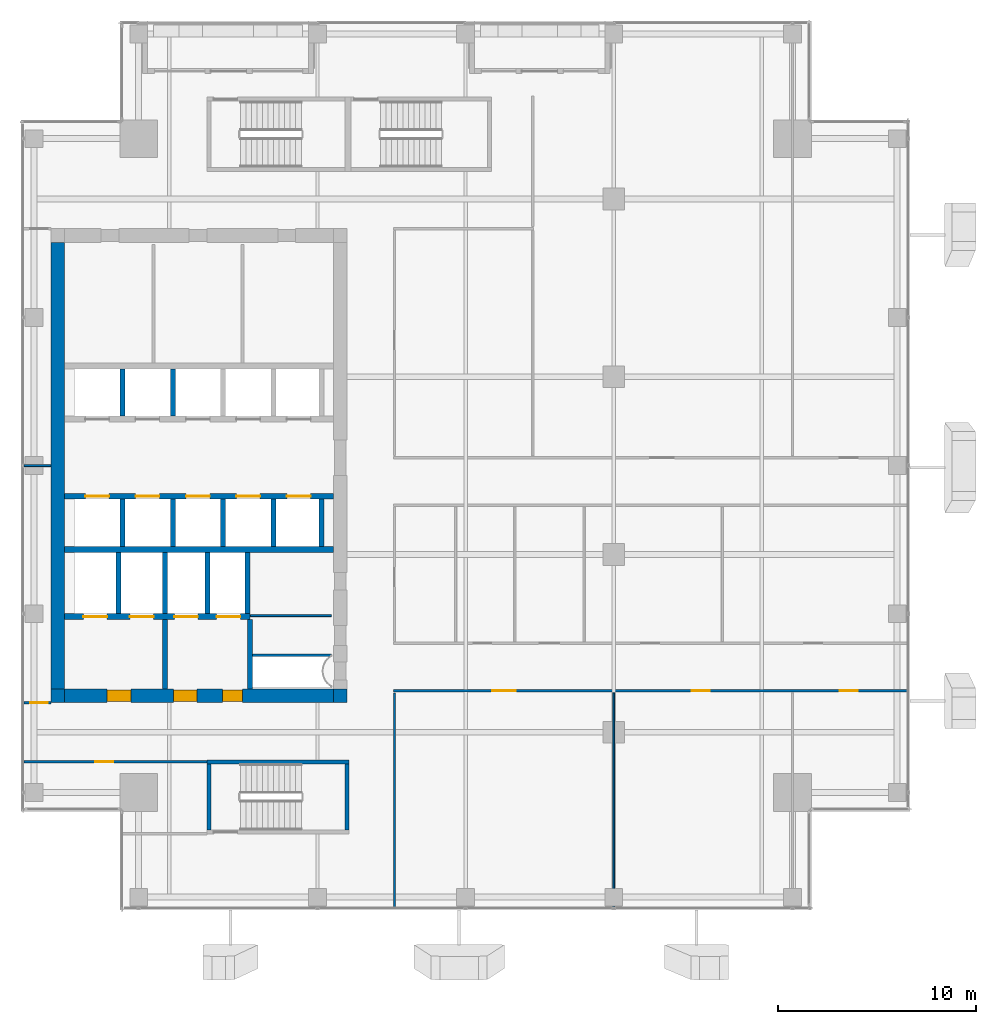
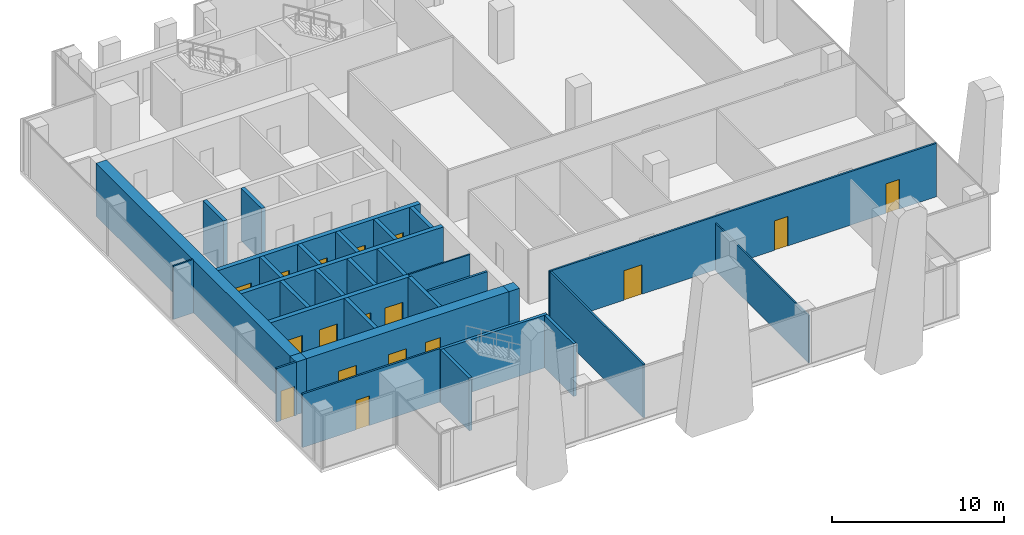
# One storey, part 31 of 36: 31 walls, 17 doors, 17 openings.
"""IFC4 building model written with IfcOpenShell, lengths in metres."""

from ifc_helpers import new_model, si_unit, direction, frame, frame_2d, origin, place, context, subcontext, project, spatial, rectangle, extrude, source, transform, mapped, material, layer, layer_set, type_object, element, fill, save


model = new_model("IFC4")

# Units and contexts
model_context = context("Model", 3, precision=1e-05, world=origin(), true_north=direction((0.0, 1.0)))
body_context = subcontext(model_context, "Body", "Model", "MODEL_VIEW")
ifc_project = project(units=[si_unit("LENGTHUNIT", "METRE"), si_unit("AREAUNIT", "SQUARE_METRE"), si_unit("VOLUMEUNIT", "CUBIC_METRE"), si_unit("PLANEANGLEUNIT", "RADIAN"), si_unit("MASSUNIT", "GRAM", prefix="KILO")], contexts=[model_context])

# Site, building, storey
site_placement = place(None, origin())
site = spatial("IfcSite", under=ifc_project, at=site_placement, CompositionType="ELEMENT")
building_placement = place(site_placement, origin())
building = spatial("IfcBuilding", under=site, at=building_placement, Name="Khomas Fold Tower", CompositionType="ELEMENT")
storey_placement = place(building_placement, frame((0.0, 0.0, 238.199951171875)))
storey = spatial("IfcBuildingStorey", under=building, at=storey_placement, Name="L53", CompositionType="ELEMENT", Elevation=238.199951171875)

# Walls
ifc_material_1 = material(Name="Concrete C50/60", Category="concrete")
ifc_layer_1 = layer(ifc_material_1, 0.199951171875)
ifc_layer_set_1 = layer_set([ifc_layer_1], Name="Concrete C50/60")
wall_type_1 = type_object("IfcWallType", Name="Stair wall 200", PredefinedType="SHEAR", material=ifc_layer_set_1)
shared_shape_1 = source(origin(), body_context, "Body", "SweptSolid", [
    extrude(rectangle(XDim=7.2001953125, YDim=0.199951171875, at=frame_2d((3.60009765625, 0.0))), origin(), (0.0, 0.0, 1.0), 3.75),
])
wall_1_placement = place(storey_placement, frame((13.89990234375, 12.0, 0.0), z_axis=(0.0, 0.0, 1.0), x_axis=(1.0, 0.0, 0.0)))
element("IfcWall", 1, at=wall_1_placement, inside=storey, type_object=wall_type_1, Name="Stair wall SW-ST2-NH", PredefinedType="SHEAR", context=body_context, shape_type="MappedRepresentation", body=[
    mapped(shared_shape_1, transform((0.0, 0.0, 0.0))),
])
shared_shape_2 = source(origin(), body_context, "Body", "SweptSolid", [
    extrude(rectangle(XDim=3.349853515625, YDim=0.199951171875, at=frame_2d((1.6748046875, 0.0))), origin(), (0.0, 0.0, 1.0), 3.75),
])
for number, where, z_axis, x_axis, name in (
    (2, (21.0, 8.550048828125, 0.0), (0.0, 0.0, 1.0), (0.0, 1.0, 0.0), "Stair wall SW-ST2-E"),
    (3, (14.0, 8.550048828125, 0.0), (0.0, 0.0, 1.0), (0.0, 1.0, 0.0), "Stair wall SW-ST2-W"),
):
    element("IfcWall", number, at=place(storey_placement, frame(where, z_axis=z_axis, x_axis=x_axis)), inside=storey, type_object=wall_type_1, Name=name, PredefinedType="SHEAR", context=body_context, shape_type="MappedRepresentation", body=[
        mapped(shared_shape_2, transform((0.0, 0.0, 0.0))),
    ])
ifc_material_2 = material(Name="Concrete C50/60", Category="concrete")
ifc_layer_2 = layer(ifc_material_2, 0.25)
ifc_layer_set_2 = layer_set([ifc_layer_2], Name="Concrete C50/60")
wall_type_2 = type_object("IfcWallType", Name="Shaft wall 250", PredefinedType="STANDARD", material=ifc_layer_set_2)
shared_shape_3 = source(origin(), body_context, "Body", "SweptSolid", [
    extrude(rectangle(XDim=3.10009765625, YDim=0.25, at=frame_2d((1.550048828125, 0.0))), origin(), (0.0, 0.0, 1.0), 3.75),
])
for number, where, z_axis, x_axis, name in (
    (4, (9.425048828125, 19.5, 0.0), (0.0, 0.0, 1.0), (0.0, 1.0, 0.0), "Core wall SW-FS-P1"),
    (5, (11.77490234375, 19.5, 0.0), (0.0, 0.0, 1.0), (0.0, 1.0, 0.0), "Core wall SW-FS-P2"),
    (6, (13.925048828125, 19.5, 0.0), (0.0, 0.0, 1.0), (0.0, 1.0, 0.0), "Core wall SW-FS-P3"),
    (7, (15.949951171875, 19.5, 0.0), (0.0, 0.0, 1.0), (0.0, 1.0, 0.0), "Core wall SW-FS-PE"),
):
    element("IfcWall", number, at=place(storey_placement, frame(where, z_axis=z_axis, x_axis=x_axis)), inside=storey, type_object=wall_type_2, Name=name, PredefinedType="STANDARD", context=body_context, shape_type="MappedRepresentation", body=[
        mapped(shared_shape_3, transform((0.0, 0.0, 0.0))),
    ])
shared_shape_4 = source(origin(), body_context, "Body", "SweptSolid", [
    extrude(rectangle(XDim=2.39990234375, YDim=0.25, at=frame_2d((1.199951171875, 0.0))), origin(), (0.0, 0.0, 1.0), 3.75),
])
for number, where, z_axis, x_axis, name in (
    (8, (9.625, 29.5, 0.0), (0.0, 0.0, 1.0), (0.0, 1.0, 0.0), "Core wall SW-HRN-P1"),
    (9, (12.175048828125, 29.5, 0.0), (0.0, 0.0, 1.0), (0.0, 1.0, 0.0), "Core wall SW-HRN-P2"),
):
    element("IfcWall", number, at=place(storey_placement, frame(where, z_axis=z_axis, x_axis=x_axis)), inside=storey, type_object=wall_type_2, Name=name, PredefinedType="STANDARD", context=body_context, shape_type="MappedRepresentation", body=[
        mapped(shared_shape_4, transform((0.0, 0.0, 0.0))),
    ])
shared_shape_5 = source(origin(), body_context, "Body", "SweptSolid", [
    extrude(rectangle(XDim=2.400146484375, YDim=0.25, at=frame_2d((1.2001953125, 0.0))), origin(), (0.0, 0.0, 1.0), 3.75),
])
for number, where, z_axis, x_axis, name in (
    (10, (17.27490234375, 22.89990234375, 0.0), (0.0, 0.0, 1.0), (0.0, 1.0, 0.0), "Core wall SW-HRS-MR-P1"),
    (11, (19.699951171875, 22.89990234375, 0.0), (0.0, 0.0, 1.0), (0.0, 1.0, 0.0), "Core wall SW-HRS-MR-PE"),
    (12, (9.625, 22.89990234375, 0.0), (0.0, 0.0, 1.0), (0.0, 1.0, 0.0), "Core wall SW-HRS-P1"),
    (13, (12.175048828125, 22.89990234375, 0.0), (0.0, 0.0, 1.0), (0.0, 1.0, 0.0), "Core wall SW-HRS-P2"),
    (14, (14.72509765625, 22.89990234375, 0.0), (0.0, 0.0, 1.0), (0.0, 1.0, 0.0), "Core wall SW-HRS-PE"),
):
    element("IfcWall", number, at=place(storey_placement, frame(where, z_axis=z_axis, x_axis=x_axis)), inside=storey, type_object=wall_type_2, Name=name, PredefinedType="STANDARD", context=body_context, shape_type="MappedRepresentation", body=[
        mapped(shared_shape_5, transform((0.0, 0.0, 0.0))),
    ])

# Wall, openings, doors
ifc_material_3 = material(Name="Concrete C60/75", Category="concrete")
ifc_layer_3 = layer(ifc_material_3, 0.699951171875)
ifc_layer_set_3 = layer_set([ifc_layer_3], Name="Concrete C60/75")
wall_type_3 = type_object("IfcWallType", Name="Core wall 700", PredefinedType="SHEAR", material=ifc_layer_set_3)
shared_shape_6 = source(origin(), body_context, "Body", "SweptSolid", [
    extrude(rectangle(XDim=13.60009765625, YDim=0.699951171875, at=frame_2d((6.800048828125, 0.0))), origin(), (0.0, 0.0, 1.0), 3.75),
])
wall_2_placement = place(storey_placement, frame((6.699951171875, 15.35009765625, 0.0), z_axis=(0.0, 0.0, 1.0), x_axis=(1.0, 0.0, 0.0)))
wall_2 = element("IfcWall", 15, at=wall_2_placement, inside=storey, type_object=wall_type_3, Name="Core wall CW-U-S-L49", PredefinedType="SHEAR", context=body_context, shape_type="MappedRepresentation", body=[
    mapped(shared_shape_6, transform((0.0, 0.0, 0.0))),
])
shared_shape_7 = source(origin(), body_context, "Body", "SweptSolid", [
    extrude(rectangle(XDim=1.199951171875, YDim=2.10009765625, at=frame_2d((0.60009765625, 1.050048828125))), frame((0.0, 0.35986328125, 0.0), z_axis=(0.0, -1.0, 0.0), x_axis=(1.0, 0.0, 0.0)), (0.0, 0.0, 1.0), 0.719970703125),
])
opening_1_placement = place(wall_2_placement, frame((5.5, 0.0, 0.0)))
opening_1 = element("IfcOpeningElement", 16, at=opening_1_placement, cuts=wall_2, Name="Opening 0009", PredefinedType="OPENING", context=body_context, shape_type="MappedRepresentation", body=[
    mapped(shared_shape_7, transform((0.0, 0.0, 0.0))),
])
opening_2_placement = place(wall_2_placement, frame((2.14990234375, 0.0, 0.0)))
opening_2 = element("IfcOpeningElement", 17, at=opening_2_placement, cuts=wall_2, Name="Opening 0009", PredefinedType="OPENING", context=body_context, shape_type="MappedRepresentation", body=[
    mapped(shared_shape_7, transform((0.0, 0.0, 0.0))),
])
shared_shape_8 = source(origin(), body_context, "Body", "SweptSolid", [
    extrude(rectangle(XDim=1.0, YDim=2.10009765625, at=frame_2d((0.5, 1.050048828125))), frame((0.0, 0.35986328125, 0.0), z_axis=(0.0, -1.0, 0.0), x_axis=(1.0, 0.0, 0.0)), (0.0, 0.0, 1.0), 0.719970703125),
])
opening_3_placement = place(wall_2_placement, frame((8.0, 0.0, 0.0)))
opening_3 = element("IfcOpeningElement", 18, at=opening_3_placement, cuts=wall_2, Name="Opening 0010", PredefinedType="OPENING", context=body_context, shape_type="MappedRepresentation", body=[
    mapped(shared_shape_8, transform((0.0, 0.0, 0.0))),
])
ifc_material_4 = material(Name="Steel door leaf", Category="steel")
door_type_1 = type_object("IfcDoorType", Name="Lobby door 1200x2100 right-hand", OperationType="SINGLE_SWING_RIGHT", PredefinedType="DOOR", material=ifc_material_4)
shared_shape_9 = source(origin(), body_context, "Body", "SweptSolid", [
    extrude(rectangle(XDim=1.199951171875, YDim=2.10009765625, at=frame_2d((0.60009765625, 1.050048828125))), frame((0.0, 0.2998046875, 0.0), z_axis=(0.0, -1.0, 0.0), x_axis=(1.0, 0.0, 0.0)), (0.0, 0.0, 1.0), 0.599853515625),
])
door_1_placement = place(opening_1_placement, origin())
door_1 = element("IfcDoor", 19, at=door_1_placement, inside=storey, type_object=door_type_1, Name="Lobby door", OperationType="SINGLE_SWING_RIGHT", OverallHeight=2.10009765625, OverallWidth=1.199951171875, PredefinedType="DOOR", context=body_context, shape_type="MappedRepresentation", body=[
    mapped(shared_shape_9, transform((0.0, 0.0, 0.0))),
])
fill(opening_1, door_1)
door_2_placement = place(opening_2_placement, origin())
door_2 = element("IfcDoor", 20, at=door_2_placement, inside=storey, type_object=door_type_1, Name="Lobby door", OperationType="SINGLE_SWING_RIGHT", OverallHeight=2.10009765625, OverallWidth=1.199951171875, PredefinedType="DOOR", context=body_context, shape_type="MappedRepresentation", body=[
    mapped(shared_shape_9, transform((0.0, 0.0, 0.0))),
])
fill(opening_2, door_2)
ifc_material_5 = material(Name="Steel door leaf", Category="steel")
door_type_2 = type_object("IfcDoorType", Name="Stair door 1000x2100 right-hand", OperationType="SINGLE_SWING_RIGHT", PredefinedType="DOOR", material=ifc_material_5)
shared_shape_10 = source(origin(), body_context, "Body", "SweptSolid", [
    extrude(rectangle(XDim=1.0, YDim=2.10009765625, at=frame_2d((0.5, 1.050048828125))), frame((0.0, 0.2998046875, 0.0), z_axis=(0.0, -1.0, 0.0), x_axis=(1.0, 0.0, 0.0)), (0.0, 0.0, 1.0), 0.599853515625),
])
door_3_placement = place(opening_3_placement, origin())
door_3 = element("IfcDoor", 21, at=door_3_placement, inside=storey, type_object=door_type_2, Name="Stair door", OperationType="SINGLE_SWING_RIGHT", OverallHeight=2.10009765625, OverallWidth=1.0, PredefinedType="DOOR", context=body_context, shape_type="MappedRepresentation", body=[
    mapped(shared_shape_10, transform((0.0, 0.0, 0.0))),
])
fill(opening_3, door_3)

# Walls
ifc_material_6 = material(Name="Concrete C60/75", Category="concrete")
ifc_layer_4 = layer(ifc_material_6, 0.699951171875)
ifc_layer_set_4 = layer_set([ifc_layer_4], Name="Concrete C60/75")
wall_type_4 = type_object("IfcWallType", Name="Core corner wall 700", PredefinedType="SHEAR", material=ifc_layer_set_4)
shared_shape_11 = source(origin(), body_context, "Body", "SweptSolid", [
    extrude(rectangle(XDim=0.699951171875, YDim=0.699951171875, at=frame_2d((0.35009765625, 0.0))), origin(), (0.0, 0.0, 1.0), 3.75),
])
for number, where, z_axis, x_axis, name in (
    (22, (20.300048828125, 15.35009765625, 0.0), (0.0, 0.0, 1.0), (1.0, 0.0, 0.0), "Core wall CW-U-SE-L49"),
    (23, (6.0, 15.35009765625, 0.0), (0.0, 0.0, 1.0), (1.0, 0.0, 0.0), "Core wall CW-U-SW-L49"),
):
    element("IfcWall", number, at=place(storey_placement, frame(where, z_axis=z_axis, x_axis=x_axis)), inside=storey, type_object=wall_type_4, Name=name, PredefinedType="SHEAR", context=body_context, shape_type="MappedRepresentation", body=[
        mapped(shared_shape_11, transform((0.0, 0.0, 0.0))),
    ])
shared_shape_12 = source(origin(), body_context, "Body", "SweptSolid", [
    extrude(rectangle(XDim=22.60009765625, YDim=0.699951171875, at=frame_2d((11.300048828125, 0.0))), origin(), (0.0, 0.0, 1.0), 3.75),
])
wall_3_placement = place(storey_placement, frame((6.35009765625, 15.699951171875, 0.0), z_axis=(0.0, 0.0, 1.0), x_axis=(0.0, 1.0, 0.0)))
element("IfcWall", 24, at=wall_3_placement, inside=storey, type_object=wall_type_3, Name="Core wall CW-U-W-L49", PredefinedType="SHEAR", context=body_context, shape_type="MappedRepresentation", body=[
    mapped(shared_shape_12, transform((0.0, 0.0, 0.0))),
])
ifc_material_7 = material(Name="Concrete C50/60", Category="concrete")
ifc_layer_5 = layer(ifc_material_7, 0.300048828125)
ifc_layer_set_5 = layer_set([ifc_layer_5], Name="Concrete C50/60")
wall_type_5 = type_object("IfcWallType", Name="Shaft wall 300", PredefinedType="STANDARD", material=ifc_layer_set_5)
shared_shape_13 = source(origin(), body_context, "Body", "SweptSolid", [
    extrude(rectangle(XDim=13.60009765625, YDim=0.300048828125, at=frame_2d((6.800048828125, 0.0))), origin(), (0.0, 0.0, 1.0), 3.75),
])
wall_4_placement = place(storey_placement, frame((6.699951171875, 22.75, 0.0), z_axis=(0.0, 0.0, 1.0), x_axis=(1.0, 0.0, 0.0)))
element("IfcWall", 25, at=wall_4_placement, inside=storey, type_object=wall_type_5, Name="Core wall SW-FS-B", PredefinedType="STANDARD", context=body_context, shape_type="MappedRepresentation", body=[
    mapped(shared_shape_13, transform((0.0, 0.0, 0.0))),
])

# Wall, openings, doors
wall_5_placement = place(storey_placement, frame((6.699951171875, 25.449951171875, 0.0), z_axis=(0.0, 0.0, 1.0), x_axis=(1.0, 0.0, 0.0)))
wall_5 = element("IfcWall", 26, at=wall_5_placement, inside=storey, type_object=wall_type_5, Name="Core wall SW-HRS-F", PredefinedType="STANDARD", context=body_context, shape_type="MappedRepresentation", body=[
    mapped(shared_shape_13, transform((0.0, 0.0, 0.0))),
])
shared_shape_14 = source(origin(), body_context, "Body", "SweptSolid", [
    extrude(rectangle(XDim=1.199951171875, YDim=2.10009765625, at=frame_2d((0.60009765625, 1.050048828125))), frame((0.0, 0.159912109375, 0.0), z_axis=(0.0, -1.0, 0.0), x_axis=(1.0, 0.0, 0.0)), (0.0, 0.0, 1.0), 0.320068359375),
])
opening_4_placement = place(wall_5_placement, frame((1.050048828125, 0.0, 0.0)))
opening_4 = element("IfcOpeningElement", 27, at=opening_4_placement, cuts=wall_5, Name="Opening LD-HR1", PredefinedType="OPENING", context=body_context, shape_type="MappedRepresentation", body=[
    mapped(shared_shape_14, transform((0.0, 0.0, 0.0))),
])
opening_5_placement = place(wall_5_placement, frame((3.60009765625, 0.0, 0.0)))
opening_5 = element("IfcOpeningElement", 28, at=opening_5_placement, cuts=wall_5, Name="Opening LD-HR2", PredefinedType="OPENING", context=body_context, shape_type="MappedRepresentation", body=[
    mapped(shared_shape_14, transform((0.0, 0.0, 0.0))),
])
opening_6_placement = place(wall_5_placement, frame((6.14990234375, 0.0, 0.0)))
opening_6 = element("IfcOpeningElement", 29, at=opening_6_placement, cuts=wall_5, Name="Opening LD-HR3", PredefinedType="OPENING", context=body_context, shape_type="MappedRepresentation", body=[
    mapped(shared_shape_14, transform((0.0, 0.0, 0.0))),
])
opening_7_placement = place(wall_5_placement, frame((8.699951171875, 0.0, 0.0)))
opening_7 = element("IfcOpeningElement", 30, at=opening_7_placement, cuts=wall_5, Name="Opening LD-MR1", PredefinedType="OPENING", context=body_context, shape_type="MappedRepresentation", body=[
    mapped(shared_shape_14, transform((0.0, 0.0, 0.0))),
])
opening_8_placement = place(wall_5_placement, frame((11.25, 0.0, 0.0)))
opening_8 = element("IfcOpeningElement", 31, at=opening_8_placement, cuts=wall_5, Name="Opening LD-MR2", PredefinedType="OPENING", context=body_context, shape_type="MappedRepresentation", body=[
    mapped(shared_shape_14, transform((0.0, 0.0, 0.0))),
])
ifc_material_8 = material(Name="Steel door leaf", Category="steel")
door_type_3 = type_object("IfcDoorType", Name="Landing door 1200x2100", OperationType="DOUBLE_DOOR_SLIDING", PredefinedType="DOOR", material=ifc_material_8)
shared_shape_15 = source(origin(), body_context, "Body", "SweptSolid", [
    extrude(rectangle(XDim=1.199951171875, YDim=2.10009765625, at=frame_2d((0.60009765625, 1.050048828125))), frame((0.0, 0.02490234375, 0.0), z_axis=(0.0, -1.0, 0.0), x_axis=(1.0, 0.0, 0.0)), (0.0, 0.0, 1.0), 0.050048828125),
])
door_4_placement = place(opening_4_placement, origin())
door_4 = element("IfcDoor", 32, at=door_4_placement, inside=storey, type_object=door_type_3, Name="Lift landing door", OperationType="DOUBLE_DOOR_SLIDING", OverallHeight=2.10009765625, OverallWidth=1.199951171875, PredefinedType="DOOR", context=body_context, shape_type="MappedRepresentation", body=[
    mapped(shared_shape_15, transform((0.0, 0.0, 0.0))),
])
fill(opening_4, door_4)
door_5_placement = place(opening_5_placement, origin())
door_5 = element("IfcDoor", 33, at=door_5_placement, inside=storey, type_object=door_type_3, Name="Lift landing door", OperationType="DOUBLE_DOOR_SLIDING", OverallHeight=2.10009765625, OverallWidth=1.199951171875, PredefinedType="DOOR", context=body_context, shape_type="MappedRepresentation", body=[
    mapped(shared_shape_15, transform((0.0, 0.0, 0.0))),
])
fill(opening_5, door_5)
door_6_placement = place(opening_6_placement, origin())
door_6 = element("IfcDoor", 34, at=door_6_placement, inside=storey, type_object=door_type_3, Name="Lift landing door", OperationType="DOUBLE_DOOR_SLIDING", OverallHeight=2.10009765625, OverallWidth=1.199951171875, PredefinedType="DOOR", context=body_context, shape_type="MappedRepresentation", body=[
    mapped(shared_shape_15, transform((0.0, 0.0, 0.0))),
])
fill(opening_6, door_6)
door_7_placement = place(opening_7_placement, origin())
door_7 = element("IfcDoor", 35, at=door_7_placement, inside=storey, type_object=door_type_3, Name="Lift landing door", OperationType="DOUBLE_DOOR_SLIDING", OverallHeight=2.10009765625, OverallWidth=1.199951171875, PredefinedType="DOOR", context=body_context, shape_type="MappedRepresentation", body=[
    mapped(shared_shape_15, transform((0.0, 0.0, 0.0))),
])
fill(opening_7, door_7)
door_8_placement = place(opening_8_placement, origin())
door_8 = element("IfcDoor", 36, at=door_8_placement, inside=storey, type_object=door_type_3, Name="Lift landing door", OperationType="DOUBLE_DOOR_SLIDING", OverallHeight=2.10009765625, OverallWidth=1.199951171875, PredefinedType="DOOR", context=body_context, shape_type="MappedRepresentation", body=[
    mapped(shared_shape_15, transform((0.0, 0.0, 0.0))),
])
fill(opening_8, door_8)

shared_shape_16 = source(origin(), body_context, "Body", "SweptSolid", [
    extrude(rectangle(XDim=9.375, YDim=0.300048828125, at=frame_2d((4.6875, 0.0))), origin(), (0.0, 0.0, 1.0), 3.75),
])
wall_6_placement = place(storey_placement, frame((6.699951171875, 19.35009765625, 0.0), z_axis=(0.0, 0.0, 1.0), x_axis=(1.0, 0.0, 0.0)))
wall_6 = element("IfcWall", 37, at=wall_6_placement, inside=storey, type_object=wall_type_5, Name="Core wall SW-FS-F", PredefinedType="STANDARD", context=body_context, shape_type="MappedRepresentation", body=[
    mapped(shared_shape_16, transform((0.0, 0.0, 0.0))),
])
opening_9_placement = place(wall_6_placement, frame((0.949951171875, 0.0, 0.0)))
opening_9 = element("IfcOpeningElement", 38, at=opening_9_placement, cuts=wall_6, Name="Opening LD-SV1", PredefinedType="OPENING", context=body_context, shape_type="MappedRepresentation", body=[
    mapped(shared_shape_14, transform((0.0, 0.0, 0.0))),
])
opening_10_placement = place(wall_6_placement, frame((3.300048828125, 0.0, 0.0)))
opening_10 = element("IfcOpeningElement", 39, at=opening_10_placement, cuts=wall_6, Name="Opening LD-SV2", PredefinedType="OPENING", context=body_context, shape_type="MappedRepresentation", body=[
    mapped(shared_shape_14, transform((0.0, 0.0, 0.0))),
])
opening_11_placement = place(wall_6_placement, frame((5.550048828125, 0.0, 0.0)))
opening_11 = element("IfcOpeningElement", 40, at=opening_11_placement, cuts=wall_6, Name="Opening LD-FF1", PredefinedType="OPENING", context=body_context, shape_type="MappedRepresentation", body=[
    mapped(shared_shape_14, transform((0.0, 0.0, 0.0))),
])
opening_12_placement = place(wall_6_placement, frame((7.699951171875, 0.0, 0.0)))
opening_12 = element("IfcOpeningElement", 41, at=opening_12_placement, cuts=wall_6, Name="Opening LD-FF2", PredefinedType="OPENING", context=body_context, shape_type="MappedRepresentation", body=[
    mapped(shared_shape_14, transform((0.0, 0.0, 0.0))),
])
door_9_placement = place(opening_9_placement, origin())
door_9 = element("IfcDoor", 42, at=door_9_placement, inside=storey, type_object=door_type_3, Name="Lift landing door", OperationType="DOUBLE_DOOR_SLIDING", OverallHeight=2.10009765625, OverallWidth=1.199951171875, PredefinedType="DOOR", context=body_context, shape_type="MappedRepresentation", body=[
    mapped(shared_shape_15, transform((0.0, 0.0, 0.0))),
])
fill(opening_9, door_9)
door_10_placement = place(opening_10_placement, origin())
door_10 = element("IfcDoor", 43, at=door_10_placement, inside=storey, type_object=door_type_3, Name="Lift landing door", OperationType="DOUBLE_DOOR_SLIDING", OverallHeight=2.10009765625, OverallWidth=1.199951171875, PredefinedType="DOOR", context=body_context, shape_type="MappedRepresentation", body=[
    mapped(shared_shape_15, transform((0.0, 0.0, 0.0))),
])
fill(opening_10, door_10)
door_11_placement = place(opening_11_placement, origin())
door_11 = element("IfcDoor", 44, at=door_11_placement, inside=storey, type_object=door_type_3, Name="Lift landing door", OperationType="DOUBLE_DOOR_SLIDING", OverallHeight=2.10009765625, OverallWidth=1.199951171875, PredefinedType="DOOR", context=body_context, shape_type="MappedRepresentation", body=[
    mapped(shared_shape_15, transform((0.0, 0.0, 0.0))),
])
fill(opening_11, door_11)
door_12_placement = place(opening_12_placement, origin())
door_12 = element("IfcDoor", 45, at=door_12_placement, inside=storey, type_object=door_type_3, Name="Lift landing door", OperationType="DOUBLE_DOOR_SLIDING", OverallHeight=2.10009765625, OverallWidth=1.199951171875, PredefinedType="DOOR", context=body_context, shape_type="MappedRepresentation", body=[
    mapped(shared_shape_15, transform((0.0, 0.0, 0.0))),
])
fill(opening_12, door_12)

# Walls
ifc_material_9 = material(Name="Concrete C50/60", Category="concrete")
ifc_layer_6 = layer(ifc_material_9, 0.25)
ifc_layer_set_6 = layer_set([ifc_layer_6], Name="Concrete C50/60")
wall_type_6 = type_object("IfcWallType", Name="Lobby wall 250", PredefinedType="STANDARD", material=ifc_layer_set_6)
shared_shape_17 = source(origin(), body_context, "Body", "SweptSolid", [
    extrude(rectangle(XDim=3.5, YDim=0.25, at=frame_2d((1.75, 0.0))), origin(), (0.0, 0.0, 1.0), 3.75),
])
for number, where, z_axis, x_axis, name in (
    (46, (16.074951171875, 15.699951171875, 0.0), (0.0, 0.0, 1.0), (0.0, 1.0, 0.0), "Core wall SW-FS-LOB-E"),
    (47, (11.77490234375, 15.699951171875, 0.0), (0.0, 0.0, 1.0), (0.0, 1.0, 0.0), "Core wall SW-FS-SEP"),
):
    element("IfcWall", number, at=place(storey_placement, frame(where, z_axis=z_axis, x_axis=x_axis)), inside=storey, type_object=wall_type_6, Name=name, PredefinedType="STANDARD", context=body_context, shape_type="MappedRepresentation", body=[
        mapped(shared_shape_17, transform((0.0, 0.0, 0.0))),
    ])
ifc_material_10 = material(Name="Plasterboard fire partition")
ifc_layer_7 = layer(ifc_material_10, 0.14990234375)
ifc_layer_set_7 = layer_set([ifc_layer_7], Name="Plasterboard fire partition")
wall_type_7 = type_object("IfcWallType", Name="Plant room wall PW3 150", PredefinedType="PARTITIONING", material=ifc_layer_set_7)
shared_shape_18 = source(origin(), body_context, "Body", "SweptSolid", [
    extrude(rectangle(XDim=4.0, YDim=0.14990234375, at=frame_2d((2.0, 0.0))), origin(), (0.0, 0.0, 1.0), 3.800048828125),
])
wall_7_placement = place(storey_placement, frame((16.199951171875, 17.39990234375, 0.0), z_axis=(0.0, 0.0, 1.0), x_axis=(1.0, 0.0, 0.0)))
element("IfcWall", 48, at=wall_7_placement, inside=storey, type_object=wall_type_7, Name="Plant room wall", PredefinedType="PARTITIONING", context=body_context, shape_type="MappedRepresentation", body=[
    mapped(shared_shape_18, transform((0.0, 0.0, 0.0))),
])
ifc_material_11 = material(Name="Plasterboard partition")
ifc_layer_8 = layer(ifc_material_11, 0.10009765625)
ifc_layer_set_8 = layer_set([ifc_layer_8], Name="Plasterboard partition")
wall_type_8 = type_object("IfcWallType", Name="Partition PW1 100", PredefinedType="PARTITIONING", material=ifc_layer_set_8)
shared_shape_19 = source(origin(), body_context, "Body", "SweptSolid", [
    extrude(rectangle(XDim=4.099853515625, YDim=0.10009765625, at=frame_2d((2.0498046875, 0.0))), origin(), (0.0, 0.0, 1.0), 3.800048828125),
])
wall_8_placement = place(storey_placement, frame((16.10009765625, 19.39990234375, 0.0), z_axis=(0.0, 0.0, 1.0), x_axis=(1.0, 0.0, 0.0)))
element("IfcWall", 49, at=wall_8_placement, inside=storey, type_object=wall_type_8, Name="Partition", PredefinedType="PARTITIONING", context=body_context, shape_type="MappedRepresentation", body=[
    mapped(shared_shape_19, transform((0.0, 0.0, 0.0))),
])

# Wall, opening, door
ifc_material_12 = material(Name="Plasterboard partition")
ifc_layer_9 = layer(ifc_material_12, 0.125)
ifc_layer_set_9 = layer_set([ifc_layer_9], Name="Plasterboard partition")
wall_type_9 = type_object("IfcWallType", Name="Partition PW2 125", PredefinedType="PARTITIONING", material=ifc_layer_set_9)
shared_shape_20 = source(origin(), body_context, "Body", "SweptSolid", [
    extrude(rectangle(XDim=9.25, YDim=0.125, at=frame_2d((4.625, 0.0))), origin(), (0.0, 0.0, 1.0), 3.800048828125),
])
wall_9_placement = place(storey_placement, frame((4.64990234375, 12.0, 0.0), z_axis=(0.0, 0.0, 1.0), x_axis=(1.0, 0.0, 0.0)))
wall_9 = element("IfcWall", 50, at=wall_9_placement, inside=storey, type_object=wall_type_9, Name="Partition", PredefinedType="PARTITIONING", context=body_context, shape_type="MappedRepresentation", body=[
    mapped(shared_shape_20, transform((0.0, 0.0, 0.0))),
])
shared_shape_21 = source(origin(), body_context, "Body", "SweptSolid", [
    extrude(rectangle(XDim=0.89990234375, YDim=2.10009765625, at=frame_2d((0.449951171875, 1.050048828125))), frame((0.0, 0.072509765625, 0.0), z_axis=(0.0, -1.0, 0.0), x_axis=(1.0, 0.0, 0.0)), (0.0, 0.0, 1.0), 0.14501953125),
])
opening_13_placement = place(wall_9_placement, frame((3.60009765625, 0.0, 0.0)))
opening_13 = element("IfcOpeningElement", 51, at=opening_13_placement, cuts=wall_9, Name="Opening 0007", PredefinedType="OPENING", context=body_context, shape_type="MappedRepresentation", body=[
    mapped(shared_shape_21, transform((0.0, 0.0, 0.0))),
])
ifc_material_13 = material(Name="Timber door leaf", Category="wood")
door_type_4 = type_object("IfcDoorType", Name="Door 900x2100 left-hand", OperationType="SINGLE_SWING_LEFT", PredefinedType="DOOR", material=ifc_material_13)
shared_shape_22 = source(origin(), body_context, "Body", "SweptSolid", [
    extrude(rectangle(XDim=0.89990234375, YDim=2.10009765625, at=frame_2d((0.449951171875, 1.050048828125))), frame((0.0, 0.02490234375, 0.0), z_axis=(0.0, -1.0, 0.0), x_axis=(1.0, 0.0, 0.0)), (0.0, 0.0, 1.0), 0.050048828125),
])
door_13_placement = place(opening_13_placement, origin())
door_13 = element("IfcDoor", 52, at=door_13_placement, inside=storey, type_object=door_type_4, Name="Door", OperationType="SINGLE_SWING_LEFT", OverallHeight=2.10009765625, OverallWidth=0.89990234375, PredefinedType="DOOR", context=body_context, shape_type="MappedRepresentation", body=[
    mapped(shared_shape_22, transform((0.0, 0.0, 0.0))),
])
fill(opening_13, door_13)

# Walls
shared_shape_23 = source(origin(), body_context, "Body", "SweptSolid", [
    extrude(rectangle(XDim=10.85009765625, YDim=0.125, at=frame_2d((5.425048828125, 0.0))), origin(), (0.0, 0.0, 1.0), 3.800048828125),
])
wall_10_placement = place(storey_placement, frame((23.39990234375, 4.64990234375, 0.0), z_axis=(0.0, 0.0, 1.0), x_axis=(0.0, 1.0, 0.0)))
element("IfcWall", 53, at=wall_10_placement, inside=storey, type_object=wall_type_9, Name="Partition", PredefinedType="PARTITIONING", context=body_context, shape_type="MappedRepresentation", body=[
    mapped(shared_shape_23, transform((0.0, 0.0, 0.0))),
])
shared_shape_24 = source(origin(), body_context, "Body", "SweptSolid", [
    extrude(rectangle(XDim=10.85009765625, YDim=0.10009765625, at=frame_2d((5.425048828125, 0.0))), origin(), (0.0, 0.0, 1.0), 3.35009765625),
])
wall_11_placement = place(storey_placement, frame((34.5, 4.64990234375, 0.0), z_axis=(0.0, 0.0, 1.0), x_axis=(0.0, 1.0, 0.0)))
element("IfcWall", 54, at=wall_11_placement, inside=storey, type_object=wall_type_8, Name="Partition", PredefinedType="PARTITIONING", context=body_context, shape_type="MappedRepresentation", body=[
    mapped(shared_shape_24, transform((0.0, 0.0, 0.0))),
])

# Wall, opening, door
shared_shape_25 = source(origin(), body_context, "Body", "SweptSolid", [
    extrude(rectangle(XDim=1.35009765625, YDim=0.125, at=frame_2d((0.675048828125, 0.0))), origin(), (0.0, 0.0, 1.0), 3.800048828125),
])
wall_12_placement = place(storey_placement, frame((4.64990234375, 15.0, 0.0), z_axis=(0.0, 0.0, 1.0), x_axis=(1.0, 0.0, 0.0)))
wall_12 = element("IfcWall", 55, at=wall_12_placement, inside=storey, type_object=wall_type_9, Name="Partition", PredefinedType="PARTITIONING", context=body_context, shape_type="MappedRepresentation", body=[
    mapped(shared_shape_25, transform((0.0, 0.0, 0.0))),
])
opening_14_placement = place(wall_12_placement, frame((0.300048828125, 0.0, 0.0)))
opening_14 = element("IfcOpeningElement", 56, at=opening_14_placement, cuts=wall_12, Name="Opening 0007", PredefinedType="OPENING", context=body_context, shape_type="MappedRepresentation", body=[
    mapped(shared_shape_21, transform((0.0, 0.0, 0.0))),
])
door_14_placement = place(opening_14_placement, origin())
door_14 = element("IfcDoor", 57, at=door_14_placement, inside=storey, type_object=door_type_4, Name="Door", OperationType="SINGLE_SWING_LEFT", OverallHeight=2.10009765625, OverallWidth=0.89990234375, PredefinedType="DOOR", context=body_context, shape_type="MappedRepresentation", body=[
    mapped(shared_shape_22, transform((0.0, 0.0, 0.0))),
])
fill(opening_14, door_14)

# Wall, openings, doors
shared_shape_26 = source(origin(), body_context, "Body", "SweptSolid", [
    extrude(rectangle(XDim=26.0, YDim=0.125, at=frame_2d((13.0, 0.0))), origin(), (0.0, 0.0, 1.0), 3.800048828125),
])
wall_13_placement = place(storey_placement, frame((23.35009765625, 15.60009765625, 0.0), z_axis=(0.0, 0.0, 1.0), x_axis=(1.0, 0.0, 0.0)))
wall_13 = element("IfcWall", 58, at=wall_13_placement, inside=storey, type_object=wall_type_9, Name="Partition", PredefinedType="PARTITIONING", context=body_context, shape_type="MappedRepresentation", body=[
    mapped(shared_shape_26, transform((0.0, 0.0, 0.0))),
])
shared_shape_27 = source(origin(), body_context, "Body", "SweptSolid", [
    extrude(rectangle(XDim=1.199951171875, YDim=2.10009765625, at=frame_2d((0.60009765625, 1.050048828125))), frame((0.0, 0.072509765625, 0.0), z_axis=(0.0, -1.0, 0.0), x_axis=(1.0, 0.0, 0.0)), (0.0, 0.0, 1.0), 0.14501953125),
])
opening_15_placement = place(wall_13_placement, frame((5.0, 0.0, 0.0)))
opening_15 = element("IfcOpeningElement", 59, at=opening_15_placement, cuts=wall_13, Name="Opening 0001", PredefinedType="OPENING", context=body_context, shape_type="MappedRepresentation", body=[
    mapped(shared_shape_27, transform((0.0, 0.0, 0.0))),
])
opening_16_placement = place(wall_13_placement, frame((15.10009765625, 0.0, 0.0)))
opening_16 = element("IfcOpeningElement", 60, at=opening_16_placement, cuts=wall_13, Name="Opening 0007", PredefinedType="OPENING", context=body_context, shape_type="MappedRepresentation", body=[
    mapped(shared_shape_21, transform((0.0, 0.0, 0.0))),
])
opening_17_placement = place(wall_13_placement, frame((22.60009765625, 0.0, 0.0)))
opening_17 = element("IfcOpeningElement", 61, at=opening_17_placement, cuts=wall_13, Name="Opening 0007", PredefinedType="OPENING", context=body_context, shape_type="MappedRepresentation", body=[
    mapped(shared_shape_21, transform((0.0, 0.0, 0.0))),
])
door_15_placement = place(opening_16_placement, origin())
door_15 = element("IfcDoor", 62, at=door_15_placement, inside=storey, type_object=door_type_4, Name="Door", OperationType="SINGLE_SWING_LEFT", OverallHeight=2.10009765625, OverallWidth=0.89990234375, PredefinedType="DOOR", context=body_context, shape_type="MappedRepresentation", body=[
    mapped(shared_shape_22, transform((0.0, 0.0, 0.0))),
])
fill(opening_16, door_15)
door_16_placement = place(opening_17_placement, origin())
door_16 = element("IfcDoor", 63, at=door_16_placement, inside=storey, type_object=door_type_4, Name="Door", OperationType="SINGLE_SWING_LEFT", OverallHeight=2.10009765625, OverallWidth=0.89990234375, PredefinedType="DOOR", context=body_context, shape_type="MappedRepresentation", body=[
    mapped(shared_shape_22, transform((0.0, 0.0, 0.0))),
])
fill(opening_17, door_16)
ifc_material_14 = material(Name="Timber door leaf", Category="wood")
door_type_5 = type_object("IfcDoorType", Name="Door 1200x2100 right-hand", OperationType="SINGLE_SWING_RIGHT", PredefinedType="DOOR", material=ifc_material_14)
door_17_placement = place(opening_15_placement, origin())
door_17 = element("IfcDoor", 64, at=door_17_placement, inside=storey, type_object=door_type_5, Name="Door", OperationType="SINGLE_SWING_RIGHT", OverallHeight=2.10009765625, OverallWidth=1.199951171875, PredefinedType="DOOR", context=body_context, shape_type="MappedRepresentation", body=[
    mapped(shared_shape_15, transform((0.0, 0.0, 0.0))),
])
fill(opening_15, door_17)

# Wall
shared_shape_28 = source(origin(), body_context, "Body", "SweptSolid", [
    extrude(rectangle(XDim=1.35009765625, YDim=0.10009765625, at=frame_2d((0.675048828125, 0.0))), origin(), (0.0, 0.0, 1.0), 3.800048828125),
])
wall_14_placement = place(storey_placement, frame((4.64990234375, 27.0, 0.0), z_axis=(0.0, 0.0, 1.0), x_axis=(1.0, 0.0, 0.0)))
element("IfcWall", 65, at=wall_14_placement, inside=storey, type_object=wall_type_8, Name="Partition", PredefinedType="PARTITIONING", context=body_context, shape_type="MappedRepresentation", body=[
    mapped(shared_shape_28, transform((0.0, 0.0, 0.0))),
])

save(model, "model.ifc")
